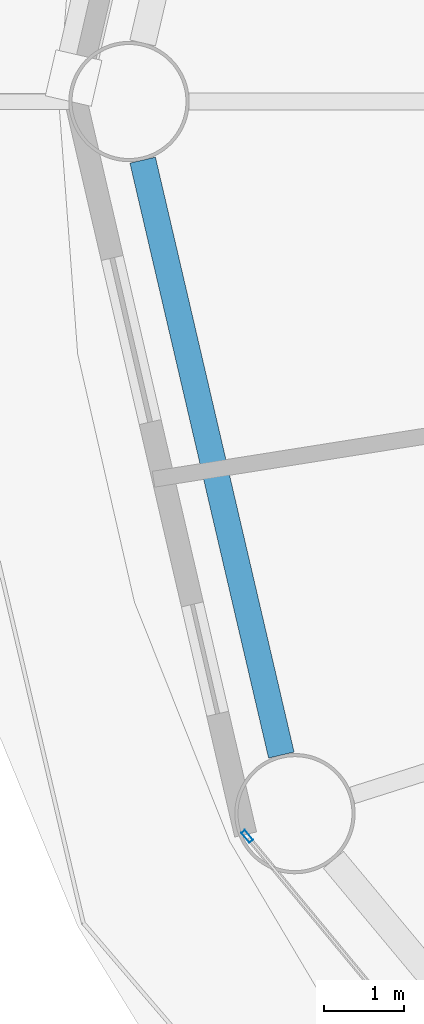
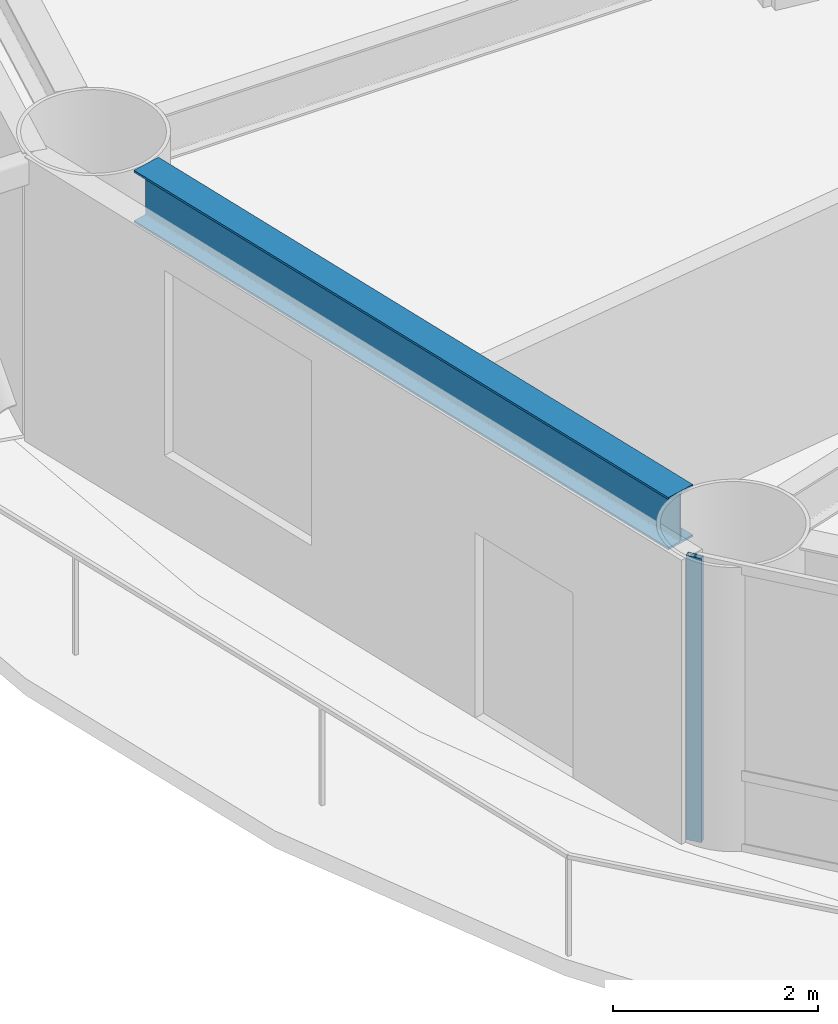
# One storey, part 4 of 26: 1 beam, 1 member, 1 element without a shape of its own.
"""IFC4 building model written with IfcOpenShell, lengths in metres."""

from ifc_helpers import new_model, si_unit, direction, frame, origin, origin_2d, place, context, subcontext, project, spatial, hollow_rectangle, i_section, extrude, material, layer, layer_set, material_profile, profile_set, type_object, element, aggregate, save


model = new_model("IFC4")

# Units and contexts
model_context = context("Model", 3, precision=1e-05, world=origin(), true_north=direction((0.0, 1.0)))
body_context = subcontext(model_context, "Body", "Model", "MODEL_VIEW")
ifc_project = project(units=[si_unit("LENGTHUNIT", "METRE"), si_unit("AREAUNIT", "SQUARE_METRE"), si_unit("VOLUMEUNIT", "CUBIC_METRE"), si_unit("PLANEANGLEUNIT", "RADIAN"), si_unit("MASSUNIT", "GRAM", prefix="KILO")], contexts=[model_context])

# Site, building, storey
site_placement = place(None, origin())
site = spatial("IfcSite", under=ifc_project, at=site_placement, CompositionType="ELEMENT")
building_placement = place(site_placement, origin())
building = spatial("IfcBuilding", under=site, at=building_placement, Name="Sarneth Arch Tower", CompositionType="ELEMENT")
storey_placement = place(building_placement, frame((0.0, 0.0, 64.199951171875)))
storey = spatial("IfcBuildingStorey", under=building, at=storey_placement, Name="L15", CompositionType="ELEMENT", Elevation=64.199951171875)

# Beam
ifc_material_1 = material(Name="Steel S355", Category="steel")
ifc_material_profile_1 = material_profile(ifc_material_1, i_section(OverallWidth=0.326904296875, OverallDepth=0.6220703125, WebThickness=0.015380859375, FlangeThickness=0.0244140625, FilletRadius=0.01904296875, at=origin_2d()), Name="W610x195")
ifc_profile_set_1 = profile_set([ifc_material_profile_1], Name="Steel S355")
beam_type = type_object("IfcBeamType", Name="BM-SPAN-610A", PredefinedType="SPANDREL", material=ifc_profile_set_1)
beam_placement = place(storey_placement, frame((18.135498046875, 41.26953125, 3.069091796875), z_axis=(0.226982354826, -0.973898870827, 0.0), x_axis=(0.973898870827, 0.226982354826, 0.0)))
element("IfcBeam", 1, at=beam_placement, inside=storey, type_object=beam_type, Name="L15 Perimeter spandrel beam 09", PredefinedType="SPANDREL", context=body_context, shape_type="SweptSolid", body=[
    extrude(i_section(OverallWidth=0.326904296875, OverallDepth=0.6220703125, WebThickness=0.015380859375, FlangeThickness=0.0244140625, FilletRadius=0.01904296875, at=origin_2d()), origin(), (0.0, 0.0, 1.0), 7.6162109375),
])

# Curtain wall, member
ifc_material_2 = material(Name="Anodised aluminium Type AA25 and solar-control low-e laminated IGU", Category="aluminium")
ifc_layer = layer(ifc_material_2, 0.159912109375)
ifc_layer_set = layer_set([ifc_layer], Name="Anodised aluminium Type AA25 and solar-control low-e laminated IGU")
curtain_wall_type = type_object("IfcCurtainWallType", Name="CW-HOTEL-LOW", PredefinedType="NOTDEFINED", material=ifc_layer_set)
curtain_wall_placement = place(storey_placement, origin())
curtain_wall = element("IfcCurtainWall", 2, at=curtain_wall_placement, inside=storey, type_object=curtain_wall_type, Name="L15 Unitised curtain wall facet 10", PredefinedType="NOTDEFINED")
ifc_material_3 = material(Name="Anodised Aluminium 6063-T6", Category="aluminium")
ifc_material_profile_2 = material_profile(ifc_material_3, hollow_rectangle(XDim=0.06005859375, YDim=0.159912109375, WallThickness=0.00390625, at=origin_2d()), Name="AL-MULL-160x60x4")
ifc_profile_set_2 = profile_set([ifc_material_profile_2], Name="Anodised Aluminium 6063-T6")
member_type = type_object("IfcMemberType", Name="CW-MULLION", PredefinedType="MULLION", material=ifc_profile_set_2)
member_placement = place(storey_placement, frame((19.438232421875, 32.83837890625, 0.0), z_axis=(0.0, 0.0, 1.0), x_axis=(0.770622960278, 0.637291340827, 0.0)))
member = element("IfcMember", 3, at=member_placement, type_object=member_type, Name="CW-SYS-3 mullion 1", PredefinedType="MULLION", context=body_context, shape_type="SweptSolid", body=[
    extrude(hollow_rectangle(XDim=0.06005859375, YDim=0.159912109375, WallThickness=0.00390625, at=origin_2d()), origin(), (0.0, 0.0, 1.0), 3.380126953125),
])
aggregate(curtain_wall, [member])

save(model, "model.ifc")
